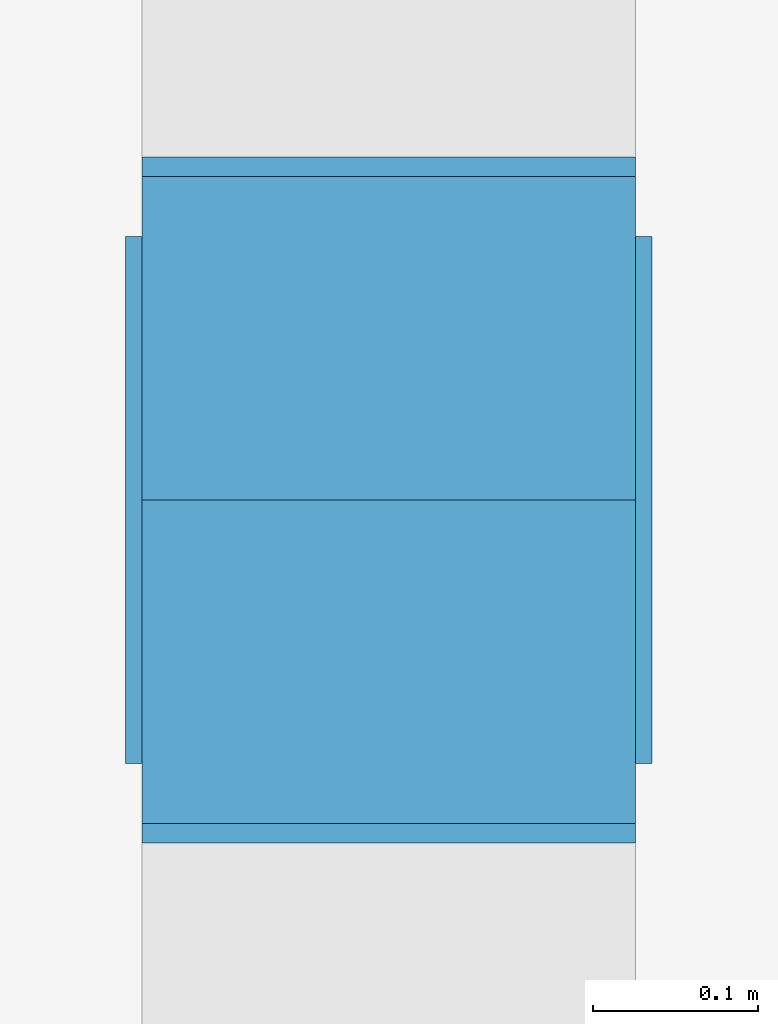
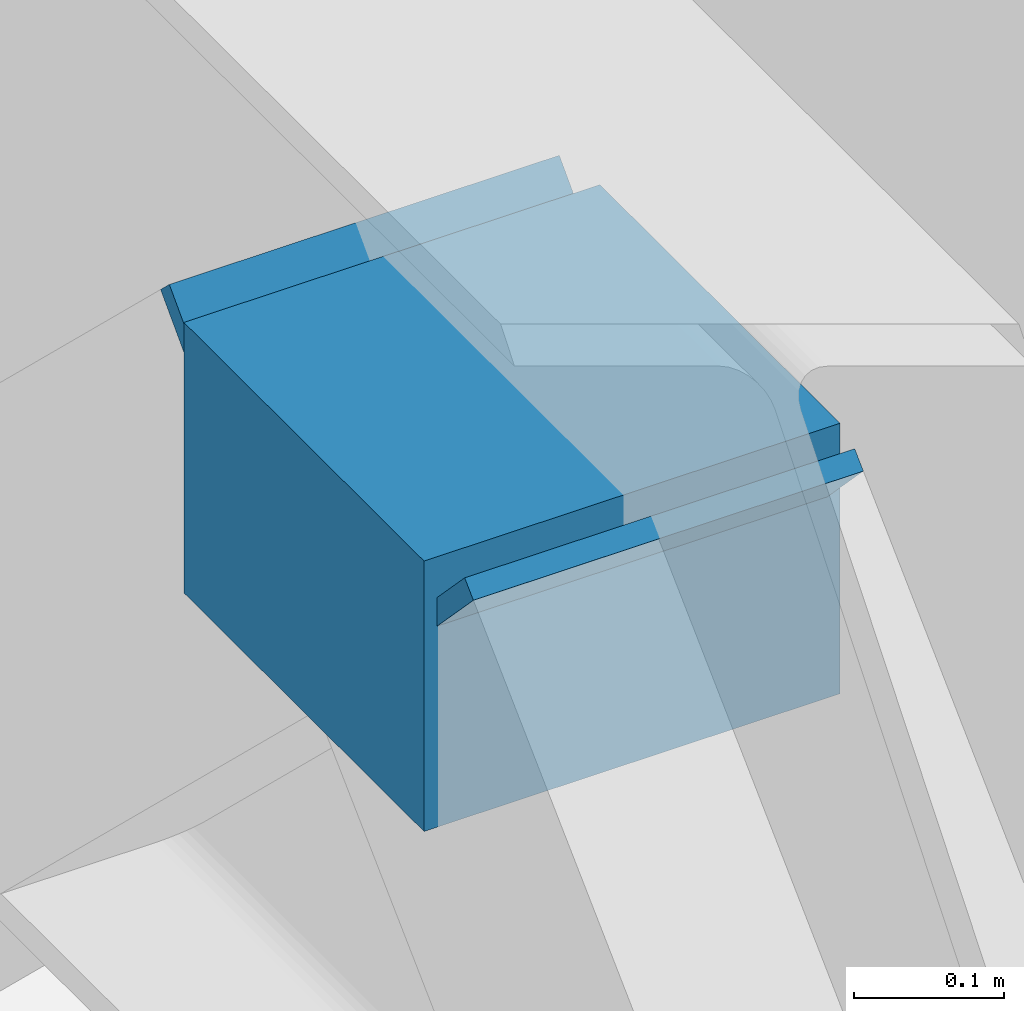
# One storey, part 21 of 26: 3 discrete accessories.
"""IFC4 building model written with IfcOpenShell, lengths in metres."""

from ifc_helpers import new_model, si_unit, direction, frame, origin, origin_2d, place, context, subcontext, project, spatial, rectangle, extrude, material, type_object, element, save


model = new_model("IFC4")

# Units and contexts
model_context = context("Model", 3, precision=1e-05, world=origin(), true_north=direction((0.0, 1.0)))
body_context = subcontext(model_context, "Body", "Model", "MODEL_VIEW")
ifc_project = project(units=[si_unit("LENGTHUNIT", "METRE"), si_unit("AREAUNIT", "SQUARE_METRE"), si_unit("VOLUMEUNIT", "CUBIC_METRE"), si_unit("PLANEANGLEUNIT", "RADIAN"), si_unit("MASSUNIT", "GRAM", prefix="KILO"), si_unit("THERMODYNAMICTEMPERATUREUNIT", "KELVIN")], contexts=[model_context])

# Site, building, storey
site_placement = place(None, origin())
site = spatial("IfcSite", under=ifc_project, at=site_placement, CompositionType="ELEMENT")
building_placement = place(site_placement, origin())
building = spatial("IfcBuilding", under=site, at=building_placement, Name="Lustrewick Department Store", CompositionType="ELEMENT")
storey_placement = place(building_placement, frame((0.0, 0.0, 36.300048828125)))
storey = spatial("IfcBuildingStorey", under=building, at=storey_placement, Name="L08", CompositionType="ELEMENT", Elevation=36.300048828125)

# Discrete accessories
ifc_material = material(Name="Structural steel Q355C", Category="steel")
discrete_accessory_type_1 = type_object("IfcDiscreteAccessoryType", Name="GUS-NODE", PredefinedType="BRACKET", material=ifc_material)
discrete_accessory_placement = place(storey_placement, frame((134.39990234375, 63.0, 3.78515625), z_axis=(0.0, 0.0, 1.0), x_axis=(1.0, 0.0, 0.0)))
element("IfcDiscreteAccessory", 1, at=discrete_accessory_placement, inside=storey, type_object=discrete_accessory_type_1, Name="L08 V4 Chevron Brace Apex Gusset Plate", PredefinedType="BRACKET", context=body_context, shape_type="SweptSolid", body=[
    extrude(rectangle(XDim=0.320068359375, YDim=0.320068359375, at=origin_2d()), origin(), (0.0, 0.0, 1.0), 0.219970703125),
])
discrete_accessory_type_2 = type_object("IfcDiscreteAccessoryType", Name="ECP-01", PredefinedType="USERDEFINED", material=ifc_material)
for number, where, z_axis, x_axis, name in (
    (2, (134.39990234375, 62.8955078125, 3.890869140625), (0.0, 0.721275425197, 0.692648367505), (-1.0, 0.0, 0.0), "L08 Welded Hollow-Section End-Cap Plate ECP-01"),
    (3, (134.39990234375, 63.1044921875, 3.890869140625), (0.0, -0.721275425197, 0.692648367505), (1.0, 0.0, 0.0), "L08 Welded Hollow-Section End-Cap Plate ECP-01"),
):
    element("IfcDiscreteAccessory", number, at=place(storey_placement, frame(where, z_axis=z_axis, x_axis=x_axis)), inside=storey, type_object=discrete_accessory_type_2, Name=name, ObjectType="END_CAP_PLATE", PredefinedType="USERDEFINED", context=body_context, shape_type="SweptSolid", body=[
        extrude(rectangle(XDim=0.300048828125, YDim=0.300048828125, at=origin_2d()), origin(), (0.0, 0.0, 1.0), 0.01611328125),
    ])

save(model, "model.ifc")
